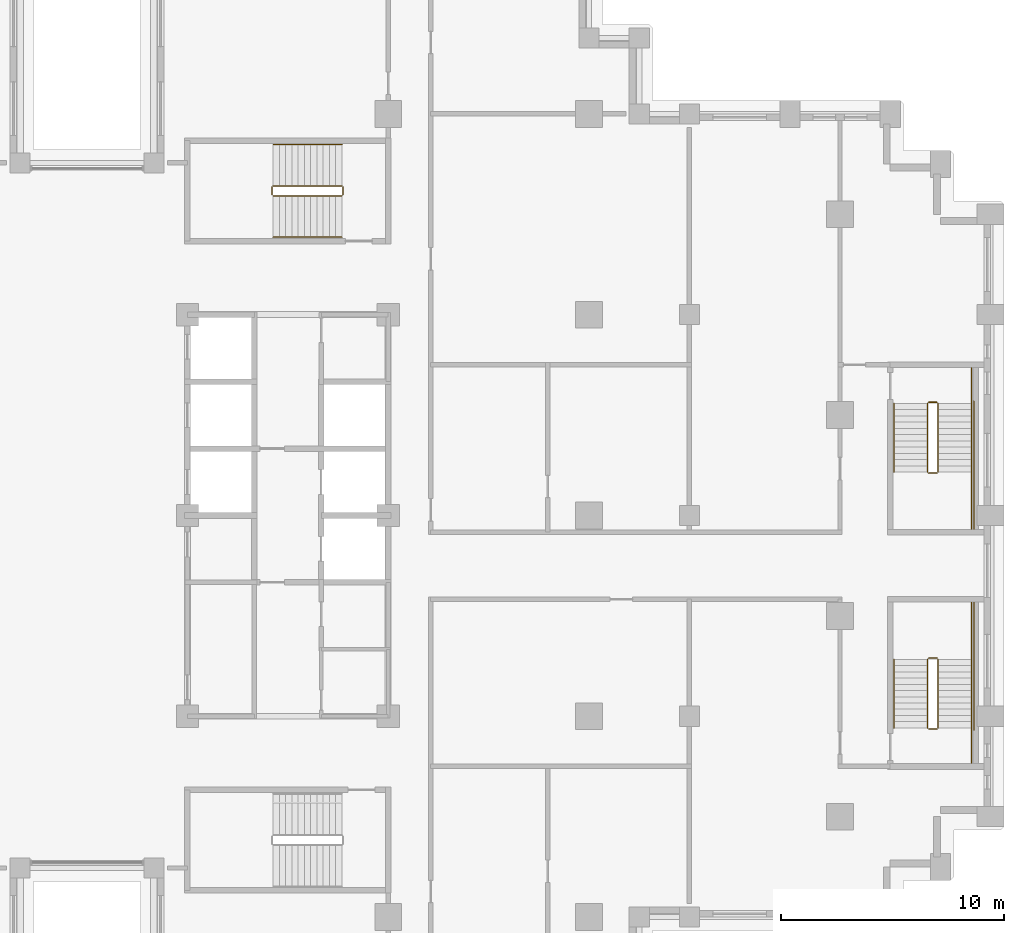
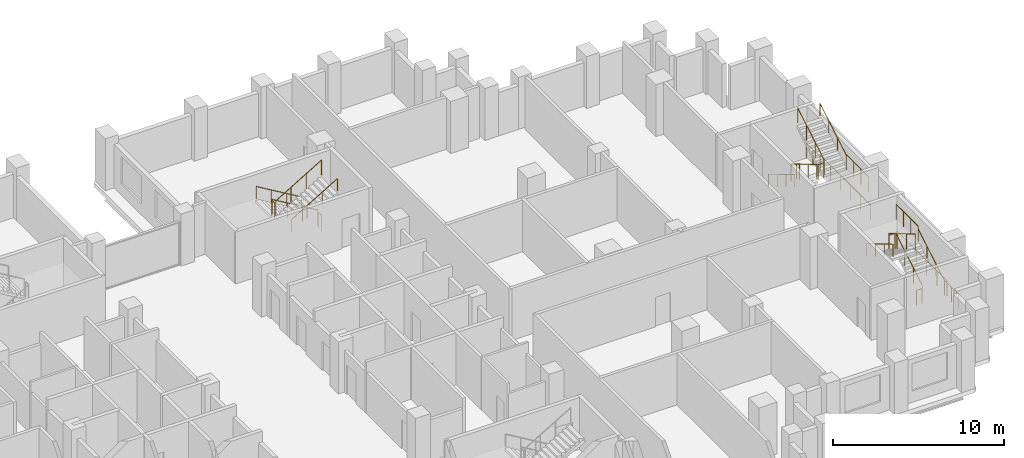
# One storey, part 16 of 16: 3 railings.
"""IFC4 building model written with IfcOpenShell, lengths in metres."""

from ifc_helpers import new_model, si_unit, direction, frame, origin, origin_2d, place, context, subcontext, project, spatial, circle, extrude, material, type_object, element, save


model = new_model("IFC4")

# Units and contexts
model_context = context("Model", 3, precision=1e-05, world=origin(), true_north=direction((0.0, 1.0)))
body_context = subcontext(model_context, "Body", "Model", "MODEL_VIEW")
ifc_project = project(units=[si_unit("LENGTHUNIT", "METRE"), si_unit("AREAUNIT", "SQUARE_METRE"), si_unit("VOLUMEUNIT", "CUBIC_METRE"), si_unit("PLANEANGLEUNIT", "RADIAN"), si_unit("MASSUNIT", "GRAM", prefix="KILO")], contexts=[model_context])

# Site, building, storey
site_placement = place(None, origin())
site = spatial("IfcSite", under=ifc_project, at=site_placement, CompositionType="ELEMENT")
building_placement = place(site_placement, origin())
building = spatial("IfcBuilding", under=site, at=building_placement, Name="Corbelhall Arena Tower", CompositionType="ELEMENT")
storey_placement = place(building_placement, frame((0.0, 0.0, 76.0)))
storey = spatial("IfcBuildingStorey", under=building, at=storey_placement, Name="L11", CompositionType="ELEMENT", Elevation=76.0)

# Railings
ifc_material = material(Name="Steel ASTM A500 Gr C", Category="steel")
railing_type = type_object("IfcRailingType", Name="IN-GD-1100", PredefinedType="GUARDRAIL", material=ifc_material)
railing_1_placement = place(storey_placement, frame((11.425048828125, 14.77490234375, 0.166748046875)))
element("IfcRailing", 1, at=railing_1_placement, inside=storey, type_object=railing_type, Name="L11 ST3 stair guards and handrails", PredefinedType="GUARDRAIL", context=body_context, shape_type="SweptSolid", body=[
    extrude(circle(Radius=0.02392578125, at=origin_2d()), frame((0.0, 0.0, 1.076171875), z_axis=(-0.859308565015, 0.0, 0.511457515432), x_axis=(0.0, -1.0, 0.0)), (0.0, 0.0, 1.0), 3.58447265625),
    extrude(circle(Radius=0.02392578125, at=origin_2d()), frame((-3.130126953125, -0.0498046875, 2.9091796875), z_axis=(0.0, -1.0, 0.0), x_axis=(1.0, 0.0, 0.0)), (0.0, 0.0, 1.0), 0.35009765625),
    extrude(circle(Radius=0.02392578125, at=origin_2d()), frame((-3.080078125, -0.449951171875, 3.076171875), z_axis=(0.859308565015, 0.0, 0.511457515432), x_axis=(0.0, 1.0, 0.0)), (0.0, 0.0, 1.0), 3.58447265625),
    extrude(circle(Radius=0.02392578125, at=origin_2d()), frame((0.050048828125, -0.0498046875, 0.9091796875), z_axis=(0.0, -1.0, 0.0), x_axis=(1.0, 0.0, 0.0)), (0.0, 0.0, 1.0), 0.35009765625),
    extrude(circle(Radius=0.02392578125, at=origin_2d()), frame((0.0, 1.85009765625, 0.8759765625), z_axis=(-0.859308565015, 0.0, 0.511457515432), x_axis=(0.0, -1.0, 0.0)), (0.0, 0.0, 1.0), 3.58447265625),
    extrude(circle(Radius=0.02392578125, at=origin_2d()), frame((-3.080078125, -2.2998046875, 2.8759765625), z_axis=(0.859308565015, 0.0, 0.511457515432), x_axis=(0.0, 1.0, 0.0)), (0.0, 0.0, 1.0), 3.58447265625),
    extrude(circle(Radius=0.02099609375, at=origin_2d()), origin(), (0.0, 0.0, 1.0), 1.052001953125),
    extrude(circle(Radius=0.02099609375, at=origin_2d()), frame((-1.026611328125, 0.0, 0.611083984375)), (0.0, 0.0, 1.0), 1.052001953125),
    extrude(circle(Radius=0.02099609375, at=origin_2d()), frame((-2.053466796875, 0.0, 1.22216796875)), (0.0, 0.0, 1.0), 1.052001953125),
    extrude(circle(Radius=0.02099609375, at=origin_2d()), frame((-3.080078125, 0.0, 1.833251953125)), (0.0, 0.0, 1.0), 1.052001953125),
    extrude(circle(Radius=0.02099609375, at=origin_2d()), frame((-3.130126953125, -0.0498046875, 1.833251953125)), (0.0, 0.0, 1.0), 1.052001953125),
    extrude(circle(Radius=0.02099609375, at=origin_2d()), frame((-3.130126953125, -0.39990234375, 1.833251953125)), (0.0, 0.0, 1.0), 1.052001953125),
    extrude(circle(Radius=0.02099609375, at=origin_2d()), frame((-3.080078125, -0.449951171875, 2.0)), (0.0, 0.0, 1.0), 1.052001953125),
    extrude(circle(Radius=0.02099609375, at=origin_2d()), frame((-2.053466796875, -0.449951171875, 2.611083984375)), (0.0, 0.0, 1.0), 1.052001953125),
    extrude(circle(Radius=0.02099609375, at=origin_2d()), frame((-1.026611328125, -0.449951171875, 3.22216796875)), (0.0, 0.0, 1.0), 1.052001953125),
    extrude(circle(Radius=0.02099609375, at=origin_2d()), frame((0.0, -0.449951171875, 3.833251953125)), (0.0, 0.0, 1.0), 1.052001953125),
    extrude(circle(Radius=0.02099609375, at=origin_2d()), frame((0.050048828125, -0.0498046875, -0.166748046875)), (0.0, 0.0, 1.0), 1.052001953125),
    extrude(circle(Radius=0.02099609375, at=origin_2d()), frame((0.050048828125, -0.39990234375, -0.166748046875)), (0.0, 0.0, 1.0), 1.052001953125),
    extrude(circle(Radius=0.02099609375, at=origin_2d()), frame((0.0, 1.85009765625, 0.0)), (0.0, 0.0, 1.0), 0.851806640625),
    extrude(circle(Radius=0.02099609375, at=origin_2d()), frame((-1.026611328125, 1.85009765625, 0.611083984375)), (0.0, 0.0, 1.0), 0.851806640625),
    extrude(circle(Radius=0.02099609375, at=origin_2d()), frame((-2.053466796875, 1.85009765625, 1.22216796875)), (0.0, 0.0, 1.0), 0.851806640625),
    extrude(circle(Radius=0.02099609375, at=origin_2d()), frame((-3.080078125, 1.85009765625, 1.833251953125)), (0.0, 0.0, 1.0), 0.851806640625),
    extrude(circle(Radius=0.02099609375, at=origin_2d()), frame((-3.080078125, -2.2998046875, 2.0)), (0.0, 0.0, 1.0), 0.851806640625),
    extrude(circle(Radius=0.02099609375, at=origin_2d()), frame((-2.053466796875, -2.2998046875, 2.611083984375)), (0.0, 0.0, 1.0), 0.851806640625),
    extrude(circle(Radius=0.02099609375, at=origin_2d()), frame((-1.026611328125, -2.2998046875, 3.22216796875)), (0.0, 0.0, 1.0), 0.851806640625),
    extrude(circle(Radius=0.02099609375, at=origin_2d()), frame((0.0, -2.2998046875, 3.833251953125)), (0.0, 0.0, 1.0), 0.851806640625),
])
railing_2_placement = place(storey_placement, frame((38.14990234375, -9.52490234375, 0.166748046875)))
element("IfcRailing", 2, at=railing_2_placement, inside=storey, type_object=railing_type, Name="L11 SD1 stair guards and handrails", PredefinedType="GUARDRAIL", context=body_context, shape_type="SweptSolid", body=[
    extrude(circle(Radius=0.02392578125, at=origin_2d()), frame((0.0, 0.0, 1.076171875), z_axis=(0.0, 0.859290745958, 0.51148745235), x_axis=(-1.0, 0.0, 0.0)), (0.0, 0.0, 1.0), 3.584228515625),
    extrude(circle(Radius=0.02392578125, at=origin_2d()), frame((-0.0498046875, 3.1298828125, 2.9091796875), z_axis=(-1.0, 0.0, 0.0), x_axis=(0.0, -1.0, 0.0)), (0.0, 0.0, 1.0), 0.375),
    extrude(circle(Radius=0.02392578125, at=origin_2d()), frame((1.5, 3.079833984375, 2.9091796875), z_axis=(0.0, 1.0, 0.0), x_axis=(-1.0, 0.0, 0.0)), (0.0, 0.0, 1.0), 2.570068359375),
    extrude(circle(Radius=0.02392578125, at=origin_2d()), frame((-0.474853515625, 3.079833984375, 3.076171875), z_axis=(0.0, -0.859290745958, 0.51148745235), x_axis=(1.0, 0.0, 0.0)), (0.0, 0.0, 1.0), 3.584228515625),
    extrude(circle(Radius=0.02392578125, at=origin_2d()), frame((-0.0498046875, -0.050048828125, 0.9091796875), z_axis=(-1.0, 0.0, 0.0), x_axis=(0.0, -1.0, 0.0)), (0.0, 0.0, 1.0), 0.375),
    extrude(circle(Radius=0.02392578125, at=origin_2d()), frame((1.5, -1.60009765625, 0.9091796875), z_axis=(0.0, 1.0, 0.0), x_axis=(-1.0, 0.0, 0.0)), (0.0, 0.0, 1.0), 1.60009765625),
    extrude(circle(Radius=0.02392578125, at=origin_2d()), frame((1.60009765625, -0.10009765625, 0.9091796875), z_axis=(0.0, 1.0, 0.0), x_axis=(-1.0, 0.0, 0.0)), (0.0, 0.0, 1.0), 5.85009765625),
    extrude(circle(Radius=0.02392578125, at=origin_2d()), frame((1.5, 0.0, 0.8759765625), z_axis=(0.0, 0.859290745958, 0.51148745235), x_axis=(-1.0, 0.0, 0.0)), (0.0, 0.0, 1.0), 3.584228515625),
    extrude(circle(Radius=0.02392578125, at=origin_2d()), frame((-1.974853515625, 3.079833984375, 2.8759765625), z_axis=(0.0, -0.859290745958, 0.51148745235), x_axis=(1.0, 0.0, 0.0)), (0.0, 0.0, 1.0), 3.584228515625),
    extrude(circle(Radius=0.02099609375, at=origin_2d()), origin(), (0.0, 0.0, 1.0), 1.052001953125),
    extrude(circle(Radius=0.02099609375, at=origin_2d()), frame((0.0, 1.026611328125, 0.611083984375)), (0.0, 0.0, 1.0), 1.052001953125),
    extrude(circle(Radius=0.02099609375, at=origin_2d()), frame((0.0, 2.05322265625, 1.22216796875)), (0.0, 0.0, 1.0), 1.052001953125),
    extrude(circle(Radius=0.02099609375, at=origin_2d()), frame((0.0, 3.079833984375, 1.833251953125)), (0.0, 0.0, 1.0), 1.052001953125),
    extrude(circle(Radius=0.02099609375, at=origin_2d()), frame((-0.0498046875, 3.1298828125, 1.833251953125)), (0.0, 0.0, 1.0), 1.052001953125),
    extrude(circle(Radius=0.02099609375, at=origin_2d()), frame((-0.4248046875, 3.1298828125, 1.833251953125)), (0.0, 0.0, 1.0), 1.052001953125),
    extrude(circle(Radius=0.02099609375, at=origin_2d()), frame((1.5, 3.079833984375, 1.833251953125)), (0.0, 0.0, 1.0), 1.052001953125),
    extrude(circle(Radius=0.02099609375, at=origin_2d()), frame((1.5, 3.9365234375, 1.833251953125)), (0.0, 0.0, 1.0), 1.052001953125),
    extrude(circle(Radius=0.02099609375, at=origin_2d()), frame((1.5, 4.793212890625, 1.833251953125)), (0.0, 0.0, 1.0), 1.052001953125),
    extrude(circle(Radius=0.02099609375, at=origin_2d()), frame((1.5, 5.64990234375, 1.833251953125)), (0.0, 0.0, 1.0), 1.052001953125),
    extrude(circle(Radius=0.02099609375, at=origin_2d()), frame((-0.474853515625, 3.079833984375, 2.0)), (0.0, 0.0, 1.0), 1.052001953125),
    extrude(circle(Radius=0.02099609375, at=origin_2d()), frame((-0.474853515625, 2.05322265625, 2.611083984375)), (0.0, 0.0, 1.0), 1.052001953125),
    extrude(circle(Radius=0.02099609375, at=origin_2d()), frame((-0.474853515625, 1.026611328125, 3.22216796875)), (0.0, 0.0, 1.0), 1.052001953125),
    extrude(circle(Radius=0.02099609375, at=origin_2d()), frame((-0.474853515625, 0.0, 3.833251953125)), (0.0, 0.0, 1.0), 1.052001953125),
    extrude(circle(Radius=0.02099609375, at=origin_2d()), frame((-0.0498046875, -0.050048828125, -0.166748046875)), (0.0, 0.0, 1.0), 1.052001953125),
    extrude(circle(Radius=0.02099609375, at=origin_2d()), frame((-0.4248046875, -0.050048828125, -0.166748046875)), (0.0, 0.0, 1.0), 1.052001953125),
    extrude(circle(Radius=0.02099609375, at=origin_2d()), frame((1.5, -1.60009765625, -0.166748046875)), (0.0, 0.0, 1.0), 1.052001953125),
    extrude(circle(Radius=0.02099609375, at=origin_2d()), frame((1.5, -0.800048828125, -0.166748046875)), (0.0, 0.0, 1.0), 1.052001953125),
    extrude(circle(Radius=0.02099609375, at=origin_2d()), frame((1.5, 0.0, -0.166748046875)), (0.0, 0.0, 1.0), 1.052001953125),
    extrude(circle(Radius=0.02099609375, at=origin_2d()), frame((1.60009765625, -0.10009765625, -0.166748046875)), (0.0, 0.0, 1.0), 1.052001953125),
    extrude(circle(Radius=0.02099609375, at=origin_2d()), frame((1.60009765625, 1.06982421875, -0.166748046875)), (0.0, 0.0, 1.0), 1.052001953125),
    extrude(circle(Radius=0.02099609375, at=origin_2d()), frame((1.60009765625, 2.239990234375, -0.166748046875)), (0.0, 0.0, 1.0), 1.052001953125),
    extrude(circle(Radius=0.02099609375, at=origin_2d()), frame((1.60009765625, 3.409912109375, -0.166748046875)), (0.0, 0.0, 1.0), 1.052001953125),
    extrude(circle(Radius=0.02099609375, at=origin_2d()), frame((1.60009765625, 4.580078125, -0.166748046875)), (0.0, 0.0, 1.0), 1.052001953125),
    extrude(circle(Radius=0.02099609375, at=origin_2d()), frame((1.60009765625, 5.75, -0.166748046875)), (0.0, 0.0, 1.0), 1.052001953125),
    extrude(circle(Radius=0.02099609375, at=origin_2d()), frame((1.5, 0.0, 0.0)), (0.0, 0.0, 1.0), 0.851806640625),
    extrude(circle(Radius=0.02099609375, at=origin_2d()), frame((1.5, 1.026611328125, 0.611083984375)), (0.0, 0.0, 1.0), 0.851806640625),
    extrude(circle(Radius=0.02099609375, at=origin_2d()), frame((1.5, 2.05322265625, 1.22216796875)), (0.0, 0.0, 1.0), 0.851806640625),
    extrude(circle(Radius=0.02099609375, at=origin_2d()), frame((-1.974853515625, 3.079833984375, 2.0)), (0.0, 0.0, 1.0), 0.851806640625),
    extrude(circle(Radius=0.02099609375, at=origin_2d()), frame((-1.974853515625, 2.05322265625, 2.611083984375)), (0.0, 0.0, 1.0), 0.851806640625),
    extrude(circle(Radius=0.02099609375, at=origin_2d()), frame((-1.974853515625, 1.026611328125, 3.22216796875)), (0.0, 0.0, 1.0), 0.851806640625),
    extrude(circle(Radius=0.02099609375, at=origin_2d()), frame((-1.974853515625, 0.0, 3.833251953125)), (0.0, 0.0, 1.0), 0.851806640625),
])
railing_3_placement = place(storey_placement, frame((37.675048828125, 5.02490234375, 0.166748046875)))
element("IfcRailing", 3, at=railing_3_placement, inside=storey, type_object=railing_type, Name="L11 SD2 stair guards and handrails", PredefinedType="GUARDRAIL", context=body_context, shape_type="SweptSolid", body=[
    extrude(circle(Radius=0.02392578125, at=origin_2d()), frame((0.0, 0.0, 1.076171875), z_axis=(0.0, -0.859290745958, 0.51148745235), x_axis=(1.0, 0.0, 0.0)), (0.0, 0.0, 1.0), 3.584228515625),
    extrude(circle(Radius=0.02392578125, at=origin_2d()), frame((0.050048828125, -3.1298828125, 2.9091796875), z_axis=(1.0, 0.0, 0.0), x_axis=(0.0, 1.0, 0.0)), (0.0, 0.0, 1.0), 0.375),
    extrude(circle(Radius=0.02392578125, at=origin_2d()), frame((1.974853515625, -3.079833984375, 2.9091796875), z_axis=(0.0, -1.0, 0.0), x_axis=(1.0, 0.0, 0.0)), (0.0, 0.0, 1.0), 2.570068359375),
    extrude(circle(Radius=0.02392578125, at=origin_2d()), frame((0.474853515625, -3.079833984375, 3.076171875), z_axis=(0.0, 0.859290745958, 0.51148745235), x_axis=(-1.0, 0.0, 0.0)), (0.0, 0.0, 1.0), 3.584228515625),
    extrude(circle(Radius=0.02392578125, at=origin_2d()), frame((0.050048828125, 0.050048828125, 0.9091796875), z_axis=(1.0, 0.0, 0.0), x_axis=(0.0, 1.0, 0.0)), (0.0, 0.0, 1.0), 0.375),
    extrude(circle(Radius=0.02392578125, at=origin_2d()), frame((1.974853515625, 1.60009765625, 0.9091796875), z_axis=(0.0, -1.0, 0.0), x_axis=(1.0, 0.0, 0.0)), (0.0, 0.0, 1.0), 1.60009765625),
    extrude(circle(Radius=0.02392578125, at=origin_2d()), frame((2.074951171875, 0.10009765625, 0.9091796875), z_axis=(0.0, -1.0, 0.0), x_axis=(1.0, 0.0, 0.0)), (0.0, 0.0, 1.0), 5.85009765625),
    extrude(circle(Radius=0.02392578125, at=origin_2d()), frame((-1.5, 0.0, 0.8759765625), z_axis=(0.0, -0.859290745958, 0.51148745235), x_axis=(1.0, 0.0, 0.0)), (0.0, 0.0, 1.0), 3.584228515625),
    extrude(circle(Radius=0.02392578125, at=origin_2d()), frame((1.974853515625, -3.079833984375, 2.8759765625), z_axis=(0.0, 0.859290745958, 0.51148745235), x_axis=(-1.0, 0.0, 0.0)), (0.0, 0.0, 1.0), 3.584228515625),
    extrude(circle(Radius=0.02099609375, at=origin_2d()), origin(), (0.0, 0.0, 1.0), 1.052001953125),
    extrude(circle(Radius=0.02099609375, at=origin_2d()), frame((0.0, -1.026611328125, 0.611083984375)), (0.0, 0.0, 1.0), 1.052001953125),
    extrude(circle(Radius=0.02099609375, at=origin_2d()), frame((0.0, -2.05322265625, 1.22216796875)), (0.0, 0.0, 1.0), 1.052001953125),
    extrude(circle(Radius=0.02099609375, at=origin_2d()), frame((0.0, -3.079833984375, 1.833251953125)), (0.0, 0.0, 1.0), 1.052001953125),
    extrude(circle(Radius=0.02099609375, at=origin_2d()), frame((0.050048828125, -3.1298828125, 1.833251953125)), (0.0, 0.0, 1.0), 1.052001953125),
    extrude(circle(Radius=0.02099609375, at=origin_2d()), frame((0.425048828125, -3.1298828125, 1.833251953125)), (0.0, 0.0, 1.0), 1.052001953125),
    extrude(circle(Radius=0.02099609375, at=origin_2d()), frame((1.974853515625, -3.079833984375, 1.833251953125)), (0.0, 0.0, 1.0), 1.052001953125),
    extrude(circle(Radius=0.02099609375, at=origin_2d()), frame((1.974853515625, -3.9365234375, 1.833251953125)), (0.0, 0.0, 1.0), 1.052001953125),
    extrude(circle(Radius=0.02099609375, at=origin_2d()), frame((1.974853515625, -4.793212890625, 1.833251953125)), (0.0, 0.0, 1.0), 1.052001953125),
    extrude(circle(Radius=0.02099609375, at=origin_2d()), frame((1.974853515625, -5.64990234375, 1.833251953125)), (0.0, 0.0, 1.0), 1.052001953125),
    extrude(circle(Radius=0.02099609375, at=origin_2d()), frame((0.474853515625, -3.079833984375, 2.0)), (0.0, 0.0, 1.0), 1.052001953125),
    extrude(circle(Radius=0.02099609375, at=origin_2d()), frame((0.474853515625, -2.05322265625, 2.611083984375)), (0.0, 0.0, 1.0), 1.052001953125),
    extrude(circle(Radius=0.02099609375, at=origin_2d()), frame((0.474853515625, -1.026611328125, 3.22216796875)), (0.0, 0.0, 1.0), 1.052001953125),
    extrude(circle(Radius=0.02099609375, at=origin_2d()), frame((0.474853515625, 0.0, 3.833251953125)), (0.0, 0.0, 1.0), 1.052001953125),
    extrude(circle(Radius=0.02099609375, at=origin_2d()), frame((0.050048828125, 0.050048828125, -0.166748046875)), (0.0, 0.0, 1.0), 1.052001953125),
    extrude(circle(Radius=0.02099609375, at=origin_2d()), frame((0.425048828125, 0.050048828125, -0.166748046875)), (0.0, 0.0, 1.0), 1.052001953125),
    extrude(circle(Radius=0.02099609375, at=origin_2d()), frame((1.974853515625, 1.60009765625, -0.166748046875)), (0.0, 0.0, 1.0), 1.052001953125),
    extrude(circle(Radius=0.02099609375, at=origin_2d()), frame((1.974853515625, 0.800048828125, -0.166748046875)), (0.0, 0.0, 1.0), 1.052001953125),
    extrude(circle(Radius=0.02099609375, at=origin_2d()), frame((1.974853515625, 0.0, -0.166748046875)), (0.0, 0.0, 1.0), 1.052001953125),
    extrude(circle(Radius=0.02099609375, at=origin_2d()), frame((2.074951171875, 0.10009765625, -0.166748046875)), (0.0, 0.0, 1.0), 1.052001953125),
    extrude(circle(Radius=0.02099609375, at=origin_2d()), frame((2.074951171875, -1.06982421875, -0.166748046875)), (0.0, 0.0, 1.0), 1.052001953125),
    extrude(circle(Radius=0.02099609375, at=origin_2d()), frame((2.074951171875, -2.239990234375, -0.166748046875)), (0.0, 0.0, 1.0), 1.052001953125),
    extrude(circle(Radius=0.02099609375, at=origin_2d()), frame((2.074951171875, -3.409912109375, -0.166748046875)), (0.0, 0.0, 1.0), 1.052001953125),
    extrude(circle(Radius=0.02099609375, at=origin_2d()), frame((2.074951171875, -4.580078125, -0.166748046875)), (0.0, 0.0, 1.0), 1.052001953125),
    extrude(circle(Radius=0.02099609375, at=origin_2d()), frame((2.074951171875, -5.75, -0.166748046875)), (0.0, 0.0, 1.0), 1.052001953125),
    extrude(circle(Radius=0.02099609375, at=origin_2d()), frame((-1.5, 0.0, 0.0)), (0.0, 0.0, 1.0), 0.851806640625),
    extrude(circle(Radius=0.02099609375, at=origin_2d()), frame((-1.5, -1.026611328125, 0.611083984375)), (0.0, 0.0, 1.0), 0.851806640625),
    extrude(circle(Radius=0.02099609375, at=origin_2d()), frame((-1.5, -2.05322265625, 1.22216796875)), (0.0, 0.0, 1.0), 0.851806640625),
    extrude(circle(Radius=0.02099609375, at=origin_2d()), frame((-1.5, -3.079833984375, 1.833251953125)), (0.0, 0.0, 1.0), 0.851806640625),
    extrude(circle(Radius=0.02099609375, at=origin_2d()), frame((1.974853515625, -3.079833984375, 2.0)), (0.0, 0.0, 1.0), 0.851806640625),
    extrude(circle(Radius=0.02099609375, at=origin_2d()), frame((1.974853515625, -2.05322265625, 2.611083984375)), (0.0, 0.0, 1.0), 0.851806640625),
    extrude(circle(Radius=0.02099609375, at=origin_2d()), frame((1.974853515625, -1.026611328125, 3.22216796875)), (0.0, 0.0, 1.0), 0.851806640625),
    extrude(circle(Radius=0.02099609375, at=origin_2d()), frame((1.974853515625, 0.0, 3.833251953125)), (0.0, 0.0, 1.0), 0.851806640625),
])

save(model, "model.ifc")
